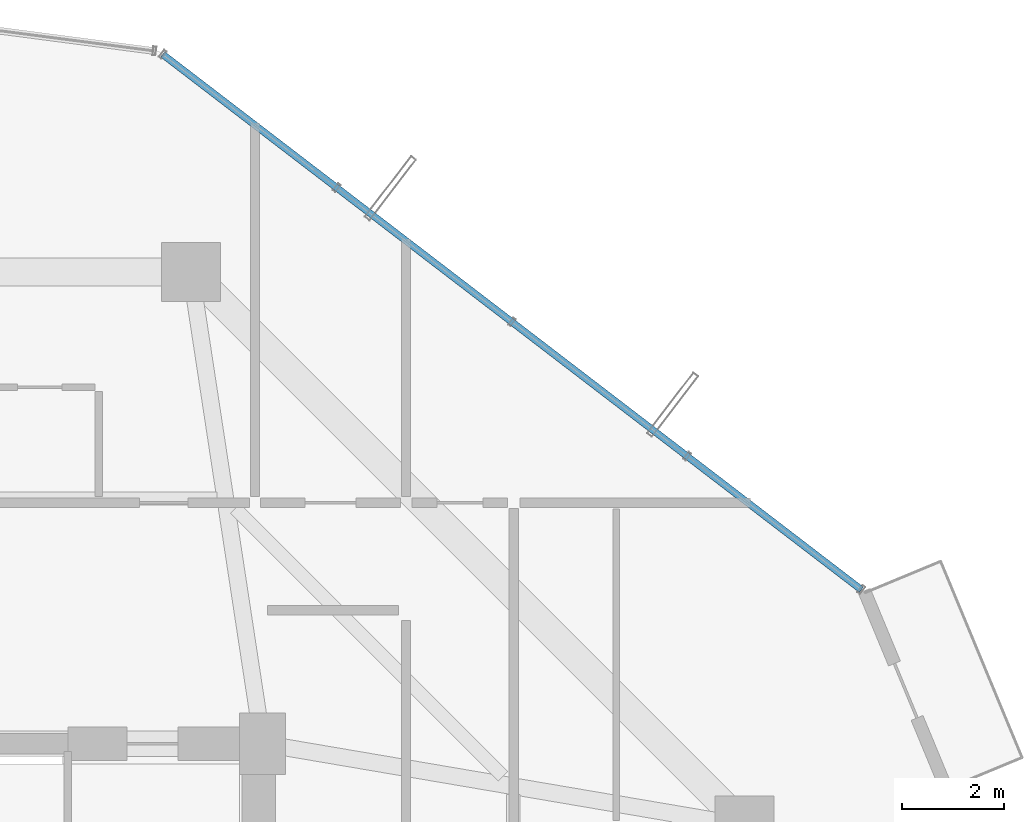
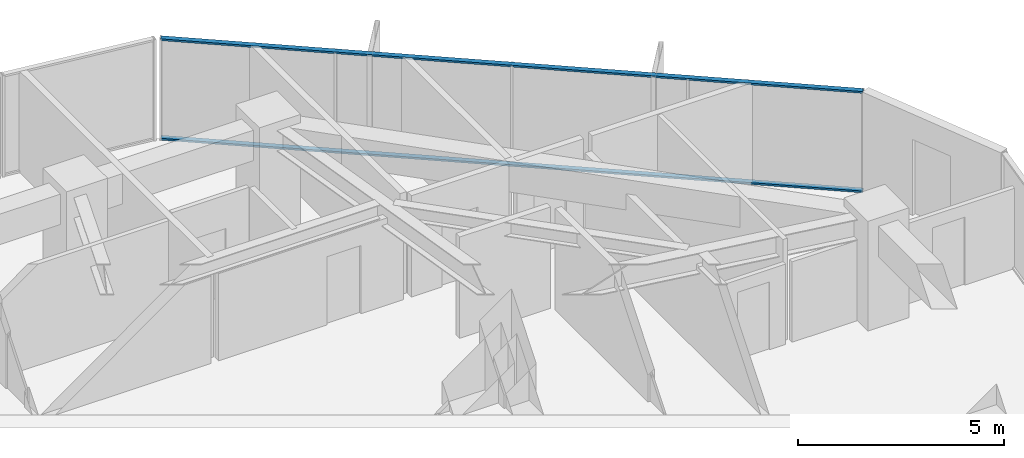
# One storey, part 21 of 30: 2 members, 1 element without a shape of its own.
"""IFC4 building model written with IfcOpenShell, lengths in metres."""

from ifc_helpers import new_model, si_unit, direction, frame, origin, origin_2d, place, context, subcontext, project, spatial, hollow_rectangle, extrude, source, transform, mapped, material, layer, layer_set, material_profile, profile_set, type_object, element, aggregate, save


model = new_model("IFC4")

# Units and contexts
model_context = context("Model", 3, precision=1e-05, world=origin(), true_north=direction((0.0, 1.0)))
body_context = subcontext(model_context, "Body", "Model", "MODEL_VIEW")
ifc_project = project(units=[si_unit("LENGTHUNIT", "METRE"), si_unit("AREAUNIT", "SQUARE_METRE"), si_unit("VOLUMEUNIT", "CUBIC_METRE"), si_unit("PLANEANGLEUNIT", "RADIAN"), si_unit("MASSUNIT", "GRAM", prefix="KILO")], contexts=[model_context])

# Site, building, storey
site_placement = place(None, origin())
site = spatial("IfcSite", under=ifc_project, at=site_placement, CompositionType="ELEMENT")
building_placement = place(site_placement, origin())
building = spatial("IfcBuilding", under=site, at=building_placement, Name="Veraguas Prism Commons", CompositionType="ELEMENT")
storey_placement = place(building_placement, frame((0.0, 0.0, 102.449951171875)))
storey = spatial("IfcBuildingStorey", under=building, at=storey_placement, Name="L28", CompositionType="ELEMENT", Elevation=102.449951171875)

# Curtain wall, members
ifc_material = material(Name="Anodised aluminium EN AW-6063 T6", Category="aluminium")
ifc_layer = layer(ifc_material, 0.169921875, Name="Unitised Flush Curtain Wall Zone 2", Category="aluminium")
ifc_layer_set = layer_set([ifc_layer], Name="Anodised aluminium EN AW-6063 T6")
curtain_wall_type = type_object("IfcCurtainWallType", Name="Unitised Flush Curtain Wall Zone 2", PredefinedType="NOTDEFINED", material=ifc_layer_set)
curtain_wall_placement = place(storey_placement, origin())
curtain_wall = element("IfcCurtainWall", 1, at=curtain_wall_placement, inside=storey, type_object=curtain_wall_type, Name="Tower Facade Curtain Wall L28-F1", PredefinedType="NOTDEFINED")
ifc_material_profile = material_profile(ifc_material, hollow_rectangle(XDim=0.054931640625, YDim=0.135009765625, WallThickness=0.0029296875, at=origin_2d()), Name="AL55X135X3")
ifc_profile_set = profile_set([ifc_material_profile], Name="Anodised aluminium EN AW-6063 T6")
member_type = type_object("IfcMemberType", Name="Curtain Wall Transom Standard AL 55x135x3", PredefinedType="USERDEFINED", material=ifc_profile_set)
shared_shape = source(origin(), body_context, "Body", "SweptSolid", [
    extrude(hollow_rectangle(XDim=0.054931640625, YDim=0.135009765625, WallThickness=0.0029296875, at=origin_2d()), origin(), (0.0, 0.0, 1.0), 17.174560546875),
])
member_1_placement = place(storey_placement, frame((42.4833984375, 34.00390625, 0.027587890625), z_axis=(-0.793782502278, 0.608201725644, 0.0), x_axis=(0.0, 0.0, 1.0)))
member_1 = element("IfcMember", 2, at=member_1_placement, type_object=member_type, Name="CW-Z2 Transom 1", ObjectType="TRANSOM", PredefinedType="USERDEFINED", context=body_context, shape_type="MappedRepresentation", body=[
    mapped(shared_shape, transform((0.0, 0.0, 0.0), scale=1.0)),
])
member_2_placement = place(storey_placement, frame((42.4833984375, 34.00390625, 2.97265625), z_axis=(-0.793782502278, 0.608201725644, 0.0), x_axis=(0.0, 0.0, 1.0)))
member_2 = element("IfcMember", 3, at=member_2_placement, type_object=member_type, Name="CW-Z2 Transom 2", ObjectType="TRANSOM", PredefinedType="USERDEFINED", context=body_context, shape_type="MappedRepresentation", body=[
    mapped(shared_shape, transform((0.0, 0.0, 0.0), scale=1.0)),
])
aggregate(curtain_wall, [member_1, member_2])

save(model, "model.ifc")
